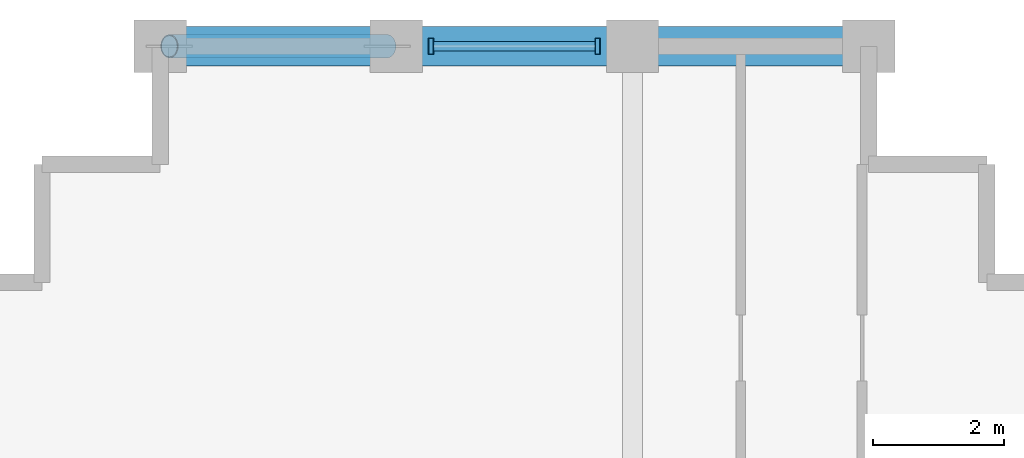
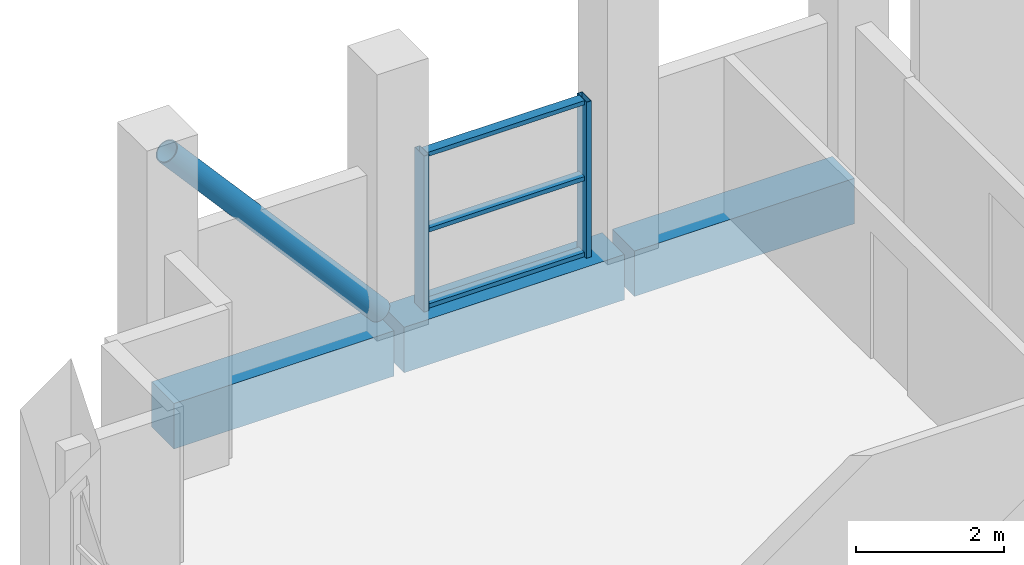
# One storey, part 9 of 14: 6 members, 3 beams, 1 element without a shape of its own.
"""IFC4 building model written with IfcOpenShell, lengths in metres."""

from ifc_helpers import new_model, si_unit, direction, frame, origin, origin_2d, place, context, subcontext, project, spatial, rectangle, hollow_rectangle, hollow_circle, extrude, material, layer, layer_set, material_profile, profile_set, type_object, element, aggregate, save


model = new_model("IFC4")

# Units and contexts
model_context = context("Model", 3, precision=1e-05, world=origin(), true_north=direction((0.0, 1.0)))
body_context = subcontext(model_context, "Body", "Model", "MODEL_VIEW")
ifc_project = project(units=[si_unit("LENGTHUNIT", "METRE"), si_unit("AREAUNIT", "SQUARE_METRE"), si_unit("VOLUMEUNIT", "CUBIC_METRE"), si_unit("PLANEANGLEUNIT", "RADIAN"), si_unit("MASSUNIT", "GRAM", prefix="KILO")], contexts=[model_context])

# Site, building, storey
site_placement = place(None, origin())
site = spatial("IfcSite", under=ifc_project, at=site_placement, CompositionType="ELEMENT")
building_placement = place(site_placement, origin())
building = spatial("IfcBuilding", under=site, at=building_placement, Name="Solnavia Interchange Tower", CompositionType="ELEMENT")
storey_placement = place(building_placement, frame((0.0, 0.0, 299.800048828125)))
storey = spatial("IfcBuildingStorey", under=building, at=storey_placement, Name="L76", CompositionType="ELEMENT", Elevation=299.800048828125)

# Beams
ifc_material_1 = material(Name="Concrete C50/60", Category="concrete")
ifc_material_profile_1 = material_profile(ifc_material_1, rectangle(XDim=0.60009765625, YDim=0.75, at=origin_2d()), Name="RC 600x750")
ifc_profile_set_1 = profile_set([ifc_material_profile_1], Name="Concrete C50/60")
beam_type = type_object("IfcBeamType", Name="Beam-Spandrel-RC600x750", PredefinedType="SPANDREL", material=ifc_profile_set_1)
for number, where, z_axis, x_axis, name in (
    (1, (21.52001953125, 36.0, -0.375), (-1.0, 0.0, 0.0), (0.0, -1.0, 0.0), "SPB-L76-22 Framed-tube perimeter spandrel beam"),
    (2, (17.919921875, 36.0, -0.375), (-1.0, 0.0, 0.0), (0.0, -1.0, 0.0), "SPB-L76-23 Framed-tube perimeter spandrel beam"),
):
    element("IfcBeam", number, at=place(storey_placement, frame(where, z_axis=z_axis, x_axis=x_axis)), inside=storey, type_object=beam_type, Name=name, PredefinedType="SPANDREL", context=body_context, shape_type="SweptSolid", body=[
        extrude(rectangle(XDim=0.60009765625, YDim=0.75, at=origin_2d()), origin(), (0.0, 0.0, 1.0), 3.43994140625),
    ])
beam_placement = place(storey_placement, frame((14.320068359375, 36.0, -0.375), z_axis=(-1.0, 0.0, 0.0), x_axis=(0.0, -1.0, 0.0)))
element("IfcBeam", 3, at=beam_placement, inside=storey, type_object=beam_type, Name="SPB-L76-24 Framed-tube perimeter spandrel beam", PredefinedType="SPANDREL", context=body_context, shape_type="SweptSolid", body=[
    extrude(rectangle(XDim=0.60009765625, YDim=0.75, at=origin_2d()), origin(), (0.0, 0.0, 1.0), 3.440185546875),
])

# Member
ifc_material_2 = material(Name="Steel S460", Category="steel")
ifc_material_profile_2 = material_profile(ifc_material_2, hollow_circle(Radius=0.177734375, WallThickness=0.01611328125, at=origin_2d()), Name="CHS 355.6x16")
ifc_profile_set_2 = profile_set([ifc_material_profile_2], Name="Steel S460")
member_type_1 = type_object("IfcMemberType", Name="Brace-Perim-CHS355", PredefinedType="BRACE", material=ifc_profile_set_2)
member_1_placement = place(storey_placement, frame((14.260009765625, 36.0, 0.179931640625), z_axis=(-0.658929871305, 0.0, 0.75220437695), x_axis=(0.0, -1.0, 0.0)))
element("IfcMember", 4, at=member_1_placement, inside=storey, type_object=member_type_1, Name="BRC-L76-03 Perimeter tube diagonal brace", PredefinedType="BRACE", context=body_context, shape_type="SweptSolid", body=[
    extrude(hollow_circle(Radius=0.177734375, WallThickness=0.01611328125, at=origin_2d()), origin(), (0.0, 0.0, 1.0), 5.03857421875),
])

# Curtain wall, members
ifc_material_3 = material(Name="Aluminium Alloy 6063-T6", Category="aluminium")
ifc_layer = layer(ifc_material_3, 0.27001953125)
ifc_layer_set = layer_set([ifc_layer], Name="Aluminium Alloy 6063-T6")
curtain_wall_type = type_object("IfcCurtainWallType", Name="CurtainWall-SkyLobby-CTW4", PredefinedType="NOTDEFINED", material=ifc_layer_set)
curtain_wall_placement = place(storey_placement, origin())
curtain_wall = element("IfcCurtainWall", 5, at=curtain_wall_placement, inside=storey, type_object=curtain_wall_type, Name="CTW-L76-S28 CTW-4 curtain wall", PredefinedType="NOTDEFINED")
ifc_material_profile_3 = material_profile(ifc_material_3, hollow_rectangle(XDim=0.080078125, YDim=0.25, WallThickness=0.006103515625, at=origin_2d()), Name="ALU 250x80x6")
ifc_profile_set_3 = profile_set([ifc_material_profile_3], Name="Aluminium Alloy 6063-T6")
member_type_2 = type_object("IfcMemberType", Name="CW-Mullion-CWM-4", PredefinedType="MULLION", material=ifc_profile_set_3)
member_2_placement = place(storey_placement, frame((17.469970703125, 36.0, 0.0), z_axis=(0.0, 0.0, 1.0), x_axis=(-1.0, 0.0, 0.0)))
member_2 = element("IfcMember", 6, at=member_2_placement, type_object=member_type_2, Name="CTW-4 mullion 1", PredefinedType="MULLION", context=body_context, shape_type="SweptSolid", body=[
    extrude(hollow_rectangle(XDim=0.080078125, YDim=0.25, WallThickness=0.006103515625, at=origin_2d()), origin(), (0.0, 0.0, 1.0), 2.579833984375),
])
member_3_placement = place(storey_placement, frame((14.929931640625, 36.0, 0.0), z_axis=(0.0, 0.0, 1.0), x_axis=(-1.0, 0.0, 0.0)))
member_3 = element("IfcMember", 7, at=member_3_placement, type_object=member_type_2, Name="CTW-4 mullion 2", PredefinedType="MULLION", context=body_context, shape_type="SweptSolid", body=[
    extrude(hollow_rectangle(XDim=0.080078125, YDim=0.25, WallThickness=0.006103515625, at=origin_2d()), origin(), (0.0, 0.0, 1.0), 2.579833984375),
])
ifc_material_profile_4 = material_profile(ifc_material_3, hollow_rectangle(XDim=0.070068359375, YDim=0.14990234375, WallThickness=0.00439453125, at=origin_2d()), Name="ALU 150x70x4.5")
ifc_profile_set_4 = profile_set([ifc_material_profile_4], Name="Aluminium Alloy 6063-T6")
member_type_3 = type_object("IfcMemberType", Name="CW-Transom-CWT-4", PredefinedType="USERDEFINED", material=ifc_profile_set_4)
member_4_placement = place(storey_placement, frame((17.429931640625, 36.0, 0.034912109375), z_axis=(-1.0, 0.0, 0.0), x_axis=(0.0, 0.0, 1.0)))
member_4 = element("IfcMember", 8, at=member_4_placement, type_object=member_type_3, Name="CTW-4 transom 1.1", ObjectType="TRANSOM", PredefinedType="USERDEFINED", context=body_context, shape_type="SweptSolid", body=[
    extrude(hollow_rectangle(XDim=0.070068359375, YDim=0.14990234375, WallThickness=0.00439453125, at=origin_2d()), origin(), (0.0, 0.0, 1.0), 2.4599609375),
])
member_5_placement = place(storey_placement, frame((17.429931640625, 36.0, 1.2900390625), z_axis=(-1.0, 0.0, 0.0), x_axis=(0.0, 0.0, 1.0)))
member_5 = element("IfcMember", 9, at=member_5_placement, type_object=member_type_3, Name="CTW-4 transom 1.2", ObjectType="TRANSOM", PredefinedType="USERDEFINED", context=body_context, shape_type="SweptSolid", body=[
    extrude(hollow_rectangle(XDim=0.070068359375, YDim=0.14990234375, WallThickness=0.00439453125, at=origin_2d()), origin(), (0.0, 0.0, 1.0), 2.4599609375),
])
member_6_placement = place(storey_placement, frame((17.429931640625, 36.0, 2.544921875), z_axis=(-1.0, 0.0, 0.0), x_axis=(0.0, 0.0, 1.0)))
member_6 = element("IfcMember", 10, at=member_6_placement, type_object=member_type_3, Name="CTW-4 transom 1.3", ObjectType="TRANSOM", PredefinedType="USERDEFINED", context=body_context, shape_type="SweptSolid", body=[
    extrude(hollow_rectangle(XDim=0.070068359375, YDim=0.14990234375, WallThickness=0.00439453125, at=origin_2d()), origin(), (0.0, 0.0, 1.0), 2.4599609375),
])
aggregate(curtain_wall, [member_2, member_3, member_4, member_5, member_6])

save(model, "model.ifc")
